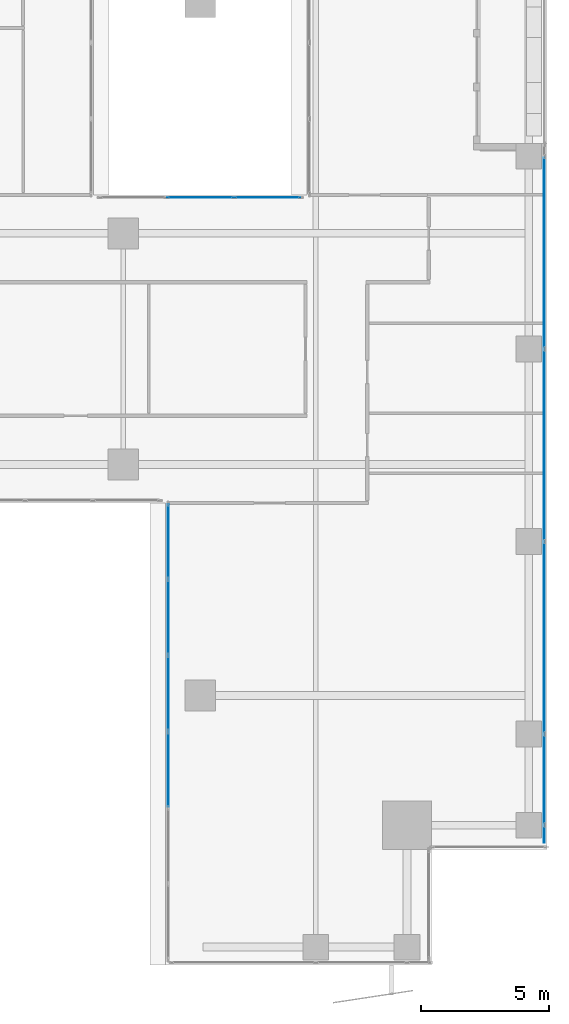
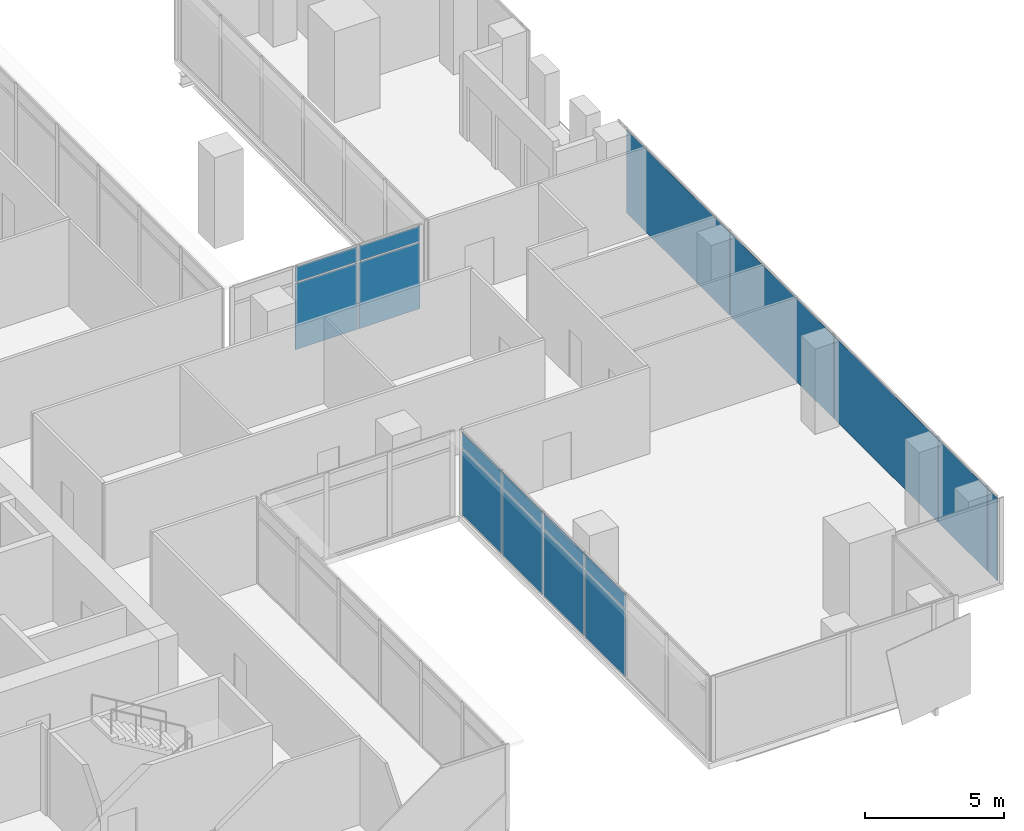
# One storey, part 31 of 40: 17 plates, 3 elements without a shape of their own.
"""IFC4 building model written with IfcOpenShell, lengths in metres."""

from ifc_helpers import new_model, si_unit, direction, frame, origin, origin_2d, place, context, subcontext, project, spatial, rectangle, extrude, source, transform, mapped, material, layer, layer_set, type_object, element, aggregate, save


model = new_model("IFC4")

# Units and contexts
model_context = context("Model", 3, precision=1e-05, world=origin(), true_north=direction((0.0, 1.0)))
body_context = subcontext(model_context, "Body", "Model", "MODEL_VIEW")
ifc_project = project(units=[si_unit("LENGTHUNIT", "METRE"), si_unit("AREAUNIT", "SQUARE_METRE"), si_unit("VOLUMEUNIT", "CUBIC_METRE"), si_unit("PLANEANGLEUNIT", "RADIAN"), si_unit("MASSUNIT", "GRAM", prefix="KILO")], contexts=[model_context])

# Site, building, storey
site_placement = place(None, origin())
site = spatial("IfcSite", under=ifc_project, at=site_placement, CompositionType="ELEMENT")
building_placement = place(site_placement, origin())
building = spatial("IfcBuilding", under=site, at=building_placement, Name="Khomas Fold Tower", CompositionType="ELEMENT")
storey_placement = place(building_placement, frame((0.0, 0.0, 180.699951171875)))
storey = spatial("IfcBuildingStorey", under=building, at=storey_placement, Name="L39", CompositionType="ELEMENT", Elevation=180.699951171875)

# Curtain wall, plates
ifc_material_1 = material(Name="Aluminium framed double glazing", Category="aluminium")
curtain_wall_type_1 = type_object("IfcCurtainWallType", Name="SK-Unitised clear-glass wall, office floors CW2", PredefinedType="NOTDEFINED", material=ifc_material_1)
curtain_wall_1_placement = place(storey_placement, origin())
curtain_wall_1 = element("IfcCurtainWall", 1, at=curtain_wall_1_placement, inside=storey, type_object=curtain_wall_type_1, Name="CW2 run L39 08-0", PredefinedType="NOTDEFINED")
ifc_material_2 = material(Name="Clear double glazed unit")
ifc_layer_1 = layer(ifc_material_2, 0.030029296875)
ifc_layer_set_1 = layer_set([ifc_layer_1], Name="Clear double glazed unit")
plate_type_1 = type_object("IfcPlateType", Name="SK-Unitised clear-glass wall, office floors glass panel CW2-P", PredefinedType="CURTAIN_PANEL", material=ifc_layer_set_1)
shared_shape_1 = source(origin(), body_context, "Body", "SweptSolid", [
    extrude(rectangle(XDim=0.659912109375, YDim=0.030029296875, at=origin_2d()), origin(), (0.0, 0.0, 1.0), 3.639892578125),
])
plate_1_placement = place(storey_placement, frame((50.89990234375, 8.090087890625, 0.0), z_axis=(0.0, 0.0, 1.0), x_axis=(0.0, 1.0, 0.0)))
plate_1 = element("IfcPlate", 2, at=plate_1_placement, type_object=plate_type_1, Name="CW2 glass panel 1", PredefinedType="CURTAIN_PANEL", context=body_context, shape_type="MappedRepresentation", body=[
    mapped(shared_shape_1, transform((0.0, 0.0, 0.0))),
])
shared_shape_2 = source(origin(), body_context, "Body", "SweptSolid", [
    extrude(rectangle(XDim=3.489990234375, YDim=0.030029296875, at=origin_2d()), origin(), (0.0, 0.0, 1.0), 3.639892578125),
])
plate_2_placement = place(storey_placement, frame((50.89990234375, 10.22509765625, 0.0), z_axis=(0.0, 0.0, 1.0), x_axis=(0.0, 1.0, 0.0)))
plate_2 = element("IfcPlate", 3, at=plate_2_placement, type_object=plate_type_1, Name="CW2 glass panel 2", PredefinedType="CURTAIN_PANEL", context=body_context, shape_type="MappedRepresentation", body=[
    mapped(shared_shape_2, transform((0.0, 0.0, 0.0))),
])
shared_shape_3 = source(origin(), body_context, "Body", "SweptSolid", [
    extrude(rectangle(XDim=7.43994140625, YDim=0.030029296875, at=origin_2d()), origin(), (0.0, 0.0, 1.0), 3.639892578125),
])
plate_3_placement = place(storey_placement, frame((50.89990234375, 15.75, 0.0), z_axis=(0.0, 0.0, 1.0), x_axis=(0.0, 1.0, 0.0)))
plate_3 = element("IfcPlate", 4, at=plate_3_placement, type_object=plate_type_1, Name="CW2 glass panel 3", PredefinedType="CURTAIN_PANEL", context=body_context, shape_type="MappedRepresentation", body=[
    mapped(shared_shape_3, transform((0.0, 0.0, 0.0))),
])
plate_4_placement = place(storey_placement, frame((50.89990234375, 23.25, 0.0), z_axis=(0.0, 0.0, 1.0), x_axis=(0.0, 1.0, 0.0)))
plate_4 = element("IfcPlate", 5, at=plate_4_placement, type_object=plate_type_1, Name="CW2 glass panel 4", PredefinedType="CURTAIN_PANEL", context=body_context, shape_type="MappedRepresentation", body=[
    mapped(shared_shape_3, transform((0.0, 0.0, 0.0))),
])
plate_5_placement = place(storey_placement, frame((50.89990234375, 30.75, 0.0), z_axis=(0.0, 0.0, 1.0), x_axis=(0.0, 1.0, 0.0)))
plate_5 = element("IfcPlate", 6, at=plate_5_placement, type_object=plate_type_1, Name="CW2 glass panel 5", PredefinedType="CURTAIN_PANEL", context=body_context, shape_type="MappedRepresentation", body=[
    mapped(shared_shape_3, transform((0.0, 0.0, 0.0))),
])
aggregate(curtain_wall_1, [plate_1, plate_2, plate_3, plate_4, plate_5])

ifc_material_3 = material(Name="Aluminium framed double glazing", Category="aluminium")
curtain_wall_type_2 = type_object("IfcCurtainWallType", Name="Notch glazing GN-CW", PredefinedType="NOTDEFINED", material=ifc_material_3)
curtain_wall_2_placement = place(storey_placement, origin())
curtain_wall_2 = element("IfcCurtainWall", 7, at=curtain_wall_2_placement, inside=storey, type_object=curtain_wall_type_2, Name="Notch glazing run", PredefinedType="NOTDEFINED")
ifc_material_4 = material(Name="Double glazed unit")
ifc_layer_2 = layer(ifc_material_4, 0.031982421875)
ifc_layer_set_2 = layer_set([ifc_layer_2], Name="Double glazed unit")
plate_type_2 = type_object("IfcPlateType", Name="Notch glazing panel GN-CW-P", PredefinedType="CURTAIN_PANEL", material=ifc_layer_set_2)
shared_shape_4 = source(origin(), body_context, "Body", "SweptSolid", [
    extrude(rectangle(XDim=2.876708984375, YDim=0.031982421875, at=origin_2d()), origin(), (0.0, 0.0, 1.0), 2.909912109375),
])
plate_6_placement = place(storey_placement, frame((36.25, 19.501708984375, 0.06005859375), z_axis=(0.0, 0.0, 1.0), x_axis=(0.0, -1.0, 0.0)))
plate_6 = element("IfcPlate", 8, at=plate_6_placement, type_object=plate_type_2, Name="GN-CW panel 1.1", PredefinedType="CURTAIN_PANEL", context=body_context, shape_type="MappedRepresentation", body=[
    mapped(shared_shape_4, transform((0.0, 0.0, 0.0))),
])
shared_shape_5 = source(origin(), body_context, "Body", "SweptSolid", [
    extrude(rectangle(XDim=2.90673828125, YDim=0.031982421875, at=origin_2d()), origin(), (0.0, 0.0, 1.0), 2.909912109375),
])
plate_7_placement = place(storey_placement, frame((36.25, 16.550048828125, 0.06005859375), z_axis=(0.0, 0.0, 1.0), x_axis=(0.0, -1.0, 0.0)))
plate_7 = element("IfcPlate", 9, at=plate_7_placement, type_object=plate_type_2, Name="GN-CW panel 2.1", PredefinedType="CURTAIN_PANEL", context=body_context, shape_type="MappedRepresentation", body=[
    mapped(shared_shape_5, transform((0.0, 0.0, 0.0))),
])
plate_8_placement = place(storey_placement, frame((36.25, 13.583251953125, 0.06005859375), z_axis=(0.0, 0.0, 1.0), x_axis=(0.0, -1.0, 0.0)))
plate_8 = element("IfcPlate", 10, at=plate_8_placement, type_object=plate_type_2, Name="GN-CW panel 3.1", PredefinedType="CURTAIN_PANEL", context=body_context, shape_type="MappedRepresentation", body=[
    mapped(shared_shape_5, transform((0.0, 0.0, 0.0))),
])
plate_9_placement = place(storey_placement, frame((36.25, 10.61669921875, 0.06005859375), z_axis=(0.0, 0.0, 1.0), x_axis=(0.0, -1.0, 0.0)))
plate_9 = element("IfcPlate", 11, at=plate_9_placement, type_object=plate_type_2, Name="GN-CW panel 4.1", PredefinedType="CURTAIN_PANEL", context=body_context, shape_type="MappedRepresentation", body=[
    mapped(shared_shape_5, transform((0.0, 0.0, 0.0))),
])
shared_shape_6 = source(origin(), body_context, "Body", "SweptSolid", [
    extrude(rectangle(XDim=2.876708984375, YDim=0.031982421875, at=origin_2d()), origin(), (0.0, 0.0, 1.0), 0.659912109375),
])
plate_10_placement = place(storey_placement, frame((36.25, 19.501708984375, 3.0302734375), z_axis=(0.0, 0.0, 1.0), x_axis=(0.0, -1.0, 0.0)))
plate_10 = element("IfcPlate", 12, at=plate_10_placement, type_object=plate_type_2, Name="GN-CW panel 1.2", PredefinedType="CURTAIN_PANEL", context=body_context, shape_type="MappedRepresentation", body=[
    mapped(shared_shape_6, transform((0.0, 0.0, 0.0))),
])
shared_shape_7 = source(origin(), body_context, "Body", "SweptSolid", [
    extrude(rectangle(XDim=2.90673828125, YDim=0.031982421875, at=origin_2d()), origin(), (0.0, 0.0, 1.0), 0.659912109375),
])
plate_11_placement = place(storey_placement, frame((36.25, 16.550048828125, 3.0302734375), z_axis=(0.0, 0.0, 1.0), x_axis=(0.0, -1.0, 0.0)))
plate_11 = element("IfcPlate", 13, at=plate_11_placement, type_object=plate_type_2, Name="GN-CW panel 2.2", PredefinedType="CURTAIN_PANEL", context=body_context, shape_type="MappedRepresentation", body=[
    mapped(shared_shape_7, transform((0.0, 0.0, 0.0))),
])
plate_12_placement = place(storey_placement, frame((36.25, 13.583251953125, 3.0302734375), z_axis=(0.0, 0.0, 1.0), x_axis=(0.0, -1.0, 0.0)))
plate_12 = element("IfcPlate", 14, at=plate_12_placement, type_object=plate_type_2, Name="GN-CW panel 3.2", PredefinedType="CURTAIN_PANEL", context=body_context, shape_type="MappedRepresentation", body=[
    mapped(shared_shape_7, transform((0.0, 0.0, 0.0))),
])
plate_13_placement = place(storey_placement, frame((36.25, 10.61669921875, 3.0302734375), z_axis=(0.0, 0.0, 1.0), x_axis=(0.0, -1.0, 0.0)))
plate_13 = element("IfcPlate", 15, at=plate_13_placement, type_object=plate_type_2, Name="GN-CW panel 4.2", PredefinedType="CURTAIN_PANEL", context=body_context, shape_type="MappedRepresentation", body=[
    mapped(shared_shape_7, transform((0.0, 0.0, 0.0))),
])
aggregate(curtain_wall_2, [plate_6, plate_10, plate_7, plate_11, plate_8, plate_12, plate_9, plate_13])

curtain_wall_3_placement = place(storey_placement, origin())
curtain_wall_3 = element("IfcCurtainWall", 16, at=curtain_wall_3_placement, inside=storey, type_object=curtain_wall_type_2, Name="Notch glazing run", PredefinedType="NOTDEFINED")
shared_shape_8 = source(origin(), body_context, "Body", "SweptSolid", [
    extrude(rectangle(XDim=2.543212890625, YDim=0.031982421875, at=origin_2d()), origin(), (0.0, 0.0, 1.0), 2.909912109375),
])
plate_14_placement = place(storey_placement, frame((40.118408203125, 32.89990234375, 0.06005859375), z_axis=(0.0, 0.0, 1.0), x_axis=(-1.0, 0.0, 0.0)))
plate_14 = element("IfcPlate", 17, at=plate_14_placement, type_object=plate_type_2, Name="GN-CW panel 1.1", PredefinedType="CURTAIN_PANEL", context=body_context, shape_type="MappedRepresentation", body=[
    mapped(shared_shape_8, transform((0.0, 0.0, 0.0))),
])
shared_shape_9 = source(origin(), body_context, "Body", "SweptSolid", [
    extrude(rectangle(XDim=2.543212890625, YDim=0.031982421875, at=origin_2d()), origin(), (0.0, 0.0, 1.0), 0.659912109375),
])
plate_15_placement = place(storey_placement, frame((40.118408203125, 32.89990234375, 3.0302734375), z_axis=(0.0, 0.0, 1.0), x_axis=(-1.0, 0.0, 0.0)))
plate_15 = element("IfcPlate", 18, at=plate_15_placement, type_object=plate_type_2, Name="GN-CW panel 1.2", PredefinedType="CURTAIN_PANEL", context=body_context, shape_type="MappedRepresentation", body=[
    mapped(shared_shape_9, transform((0.0, 0.0, 0.0))),
])
shared_shape_10 = source(origin(), body_context, "Body", "SweptSolid", [
    extrude(rectangle(XDim=2.5732421875, YDim=0.031982421875, at=origin_2d()), origin(), (0.0, 0.0, 1.0), 2.909912109375),
])
plate_16_placement = place(storey_placement, frame((37.5, 32.89990234375, 0.06005859375), z_axis=(0.0, 0.0, 1.0), x_axis=(-1.0, 0.0, 0.0)))
plate_16 = element("IfcPlate", 19, at=plate_16_placement, type_object=plate_type_2, Name="GN-CW panel 2.1", PredefinedType="CURTAIN_PANEL", context=body_context, shape_type="MappedRepresentation", body=[
    mapped(shared_shape_10, transform((0.0, 0.0, 0.0))),
])
shared_shape_11 = source(origin(), body_context, "Body", "SweptSolid", [
    extrude(rectangle(XDim=2.5732421875, YDim=0.031982421875, at=origin_2d()), origin(), (0.0, 0.0, 1.0), 0.659912109375),
])
plate_17_placement = place(storey_placement, frame((37.5, 32.89990234375, 3.0302734375), z_axis=(0.0, 0.0, 1.0), x_axis=(-1.0, 0.0, 0.0)))
plate_17 = element("IfcPlate", 20, at=plate_17_placement, type_object=plate_type_2, Name="GN-CW panel 2.2", PredefinedType="CURTAIN_PANEL", context=body_context, shape_type="MappedRepresentation", body=[
    mapped(shared_shape_11, transform((0.0, 0.0, 0.0))),
])
aggregate(curtain_wall_3, [plate_14, plate_15, plate_16, plate_17])

save(model, "model.ifc")
